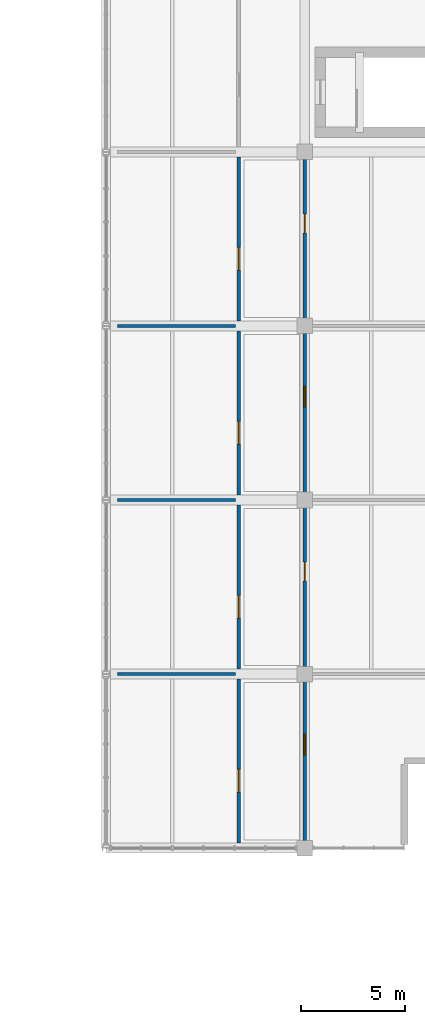
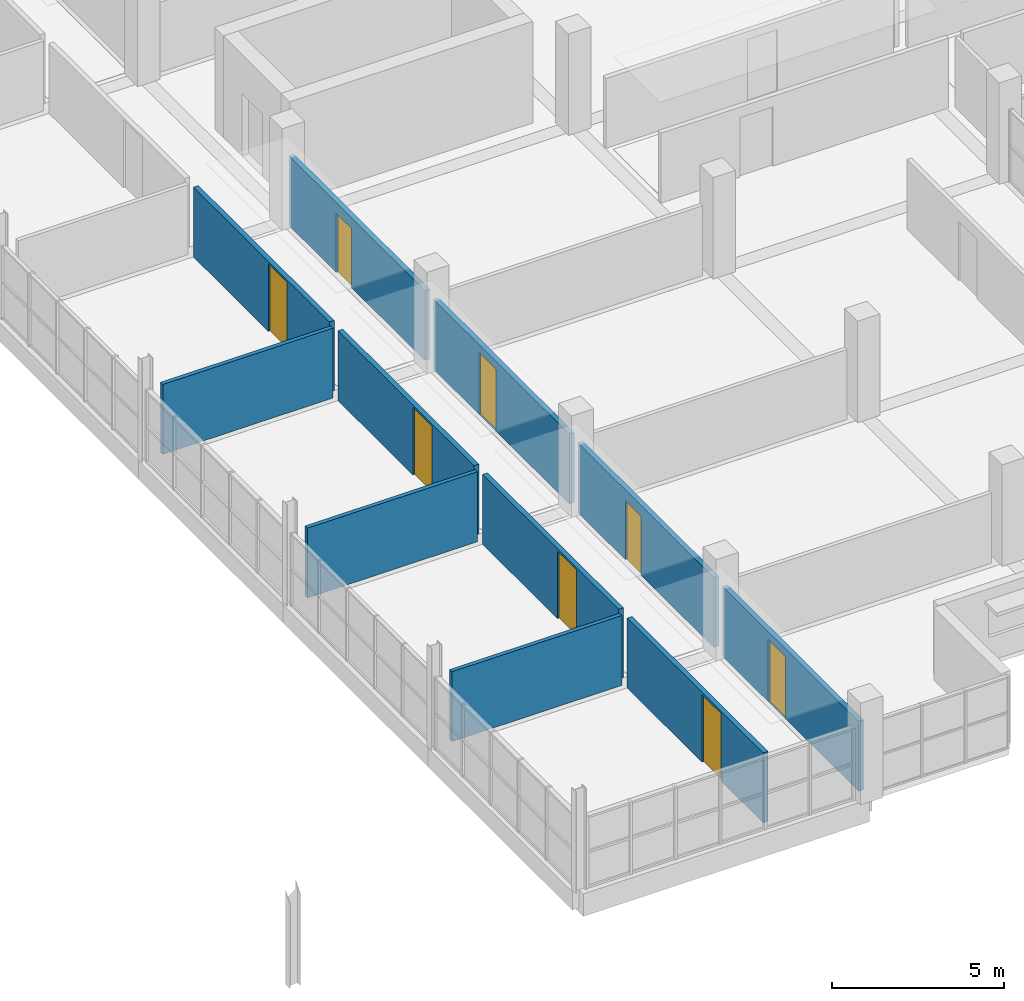
# One storey, part 121 of 147: 11 walls, 8 doors, 8 openings.
"""IFC4 building model written with IfcOpenShell, lengths in metres."""

from ifc_helpers import new_model, si_unit, direction, frame, frame_2d, origin, place, context, subcontext, project, spatial, rectangle, extrude, material, layer, layer_set, type_object, element, fill, save


model = new_model("IFC4")

# Units and contexts
model_context = context("Model", 3, precision=1e-05, world=origin(), true_north=direction((0.0, 1.0)))
body_context = subcontext(model_context, "Body", "Model", "MODEL_VIEW")
ifc_project = project(units=[si_unit("LENGTHUNIT", "METRE"), si_unit("AREAUNIT", "SQUARE_METRE"), si_unit("VOLUMEUNIT", "CUBIC_METRE"), si_unit("PLANEANGLEUNIT", "RADIAN"), si_unit("MASSUNIT", "GRAM", prefix="KILO")], contexts=[model_context])

# Site, building, storey
site_placement = place(None, origin())
site = spatial("IfcSite", under=ifc_project, at=site_placement, CompositionType="ELEMENT")
building_placement = place(site_placement, origin())
building = spatial("IfcBuilding", under=site, at=building_placement, Name="Oolite Switchyard Hospital", CompositionType="ELEMENT")
storey_placement = place(building_placement, frame((0.0, 0.0, 9.89990234375)))
storey = spatial("IfcBuildingStorey", under=building, at=storey_placement, Name="L02", CompositionType="ELEMENT", Elevation=9.89990234375)

# Walls
ifc_material_1 = material(Name="Moisture-resistant gypsum board on steel studs", Category="steel")
ifc_layer_1 = layer(ifc_material_1, 0.135009765625)
ifc_layer_set_1 = layer_set([ifc_layer_1], Name="WAL-PART-135")
wall_type_1 = type_object("IfcWallType", Name="WAL-PART-135", PredefinedType="PARTITIONING", material=ifc_layer_set_1)
for number, where, z_axis, x_axis, name in (
    (1, (115.75, 42.0, 0.0), (0.0, 0.0, 1.0), (1.0, 0.0, 0.0), "L02 Interior Partition 467"),
    (2, (115.75, 50.39990234375, 0.0), (0.0, 0.0, 1.0), (1.0, 0.0, 0.0), "L02 Interior Partition 471"),
    (3, (115.75, 58.800048828125, 0.0), (0.0, 0.0, 1.0), (1.0, 0.0, 0.0), "L02 Interior Partition 475"),
):
    element("IfcWall", number, at=place(storey_placement, frame(where, z_axis=z_axis, x_axis=x_axis)), inside=storey, type_object=wall_type_1, Name=name, PredefinedType="PARTITIONING", context=body_context, shape_type="SweptSolid", body=[
        extrude(rectangle(XDim=5.699951171875, YDim=0.135009765625, at=frame_2d((2.85009765625, 0.0))), origin(), (0.0, 0.0, 1.0), 2.47998046875),
    ])

# Wall, opening, door
ifc_layer_2 = layer(ifc_material_1, 0.1650390625)
ifc_layer_set_2 = layer_set([ifc_layer_2], Name="WAL-PART-165")
wall_type_2 = type_object("IfcWallType", Name="WAL-PART-165", PredefinedType="PARTITIONING", material=ifc_layer_set_2)
wall_1_placement = place(storey_placement, frame((121.60009765625, 33.85009765625, 0.0), z_axis=(0.0, 0.0, 1.0), x_axis=(0.0, 1.0, 0.0)))
wall_1 = element("IfcWall", 4, at=wall_1_placement, inside=storey, type_object=wall_type_2, Name="L02 Interior Partition 464", PredefinedType="PARTITIONING", context=body_context, shape_type="SweptSolid", body=[
    extrude(rectangle(XDim=7.89990234375, YDim=0.1650390625, at=frame_2d((3.949951171875, 0.0))), origin(), (0.0, 0.0, 1.0), 2.47998046875),
])
opening_1_placement = place(wall_1_placement, frame((2.449951171875, 0.0, 0.0)))
opening_1 = element("IfcOpeningElement", 5, at=opening_1_placement, cuts=wall_1, Name="Opening D-0262", PredefinedType="OPENING", context=body_context, shape_type="SweptSolid", body=[
    extrude(rectangle(XDim=1.10009765625, YDim=2.39990234375, at=frame_2d((0.550048828125, 1.199951171875))), frame((0.0, 0.092529296875, 0.0), z_axis=(0.0, -1.0, 0.0), x_axis=(1.0, 0.0, 0.0)), (0.0, 0.0, 1.0), 0.18505859375),
])
ifc_material_2 = material(Name="Hollow metal fire-rated steel door assembly", Category="steel")
door_type_1 = type_object("IfcDoorType", Name="DR-LAB-110X240", OperationType="NOTDEFINED", PredefinedType="DOOR", material=ifc_material_2)
door_1_placement = place(opening_1_placement, origin())
door_1 = element("IfcDoor", 6, at=door_1_placement, inside=storey, type_object=door_type_1, Name="L02 Interior Door D-0262", OperationType="SINGLE_SWING_LEFT", OverallHeight=2.39990234375, OverallWidth=1.10009765625, PredefinedType="DOOR", context=body_context, shape_type="SweptSolid", body=[
    extrude(rectangle(XDim=1.10009765625, YDim=2.39990234375, at=frame_2d((0.550048828125, 1.199951171875))), frame((0.0, 0.02490234375, 0.0), z_axis=(0.0, -1.0, 0.0), x_axis=(1.0, 0.0, 0.0)), (0.0, 0.0, 1.0), 0.050048828125),
])
fill(opening_1, door_1)

wall_2_placement = place(storey_placement, frame((124.800048828125, 33.85009765625, 0.0), z_axis=(0.0, 0.0, 1.0), x_axis=(0.0, 1.0, 0.0)))
wall_2 = element("IfcWall", 7, at=wall_2_placement, inside=storey, type_object=wall_type_2, Name="L02 Interior Partition 465", PredefinedType="PARTITIONING", context=body_context, shape_type="SweptSolid", body=[
    extrude(rectangle(XDim=7.89990234375, YDim=0.1650390625, at=frame_2d((3.949951171875, 0.0))), origin(), (0.0, 0.0, 1.0), 2.47998046875),
])
opening_2_placement = place(wall_2_placement, frame((4.25, 0.0, 0.0)))
opening_2 = element("IfcOpeningElement", 8, at=opening_2_placement, cuts=wall_2, Name="Opening D-0263", PredefinedType="OPENING", context=body_context, shape_type="SweptSolid", body=[
    extrude(rectangle(XDim=1.0, YDim=2.199951171875, at=frame_2d((0.5, 1.10009765625))), frame((0.0, 0.092529296875, 0.0), z_axis=(0.0, -1.0, 0.0), x_axis=(1.0, 0.0, 0.0)), (0.0, 0.0, 1.0), 0.18505859375),
])
ifc_material_3 = material(Name="Solid-core antimicrobial hardwood leaf in steel frame", Category="steel")
door_type_2 = type_object("IfcDoorType", Name="DR-OFF-100X220", OperationType="NOTDEFINED", PredefinedType="DOOR", material=ifc_material_3)
door_2_placement = place(opening_2_placement, origin())
door_2 = element("IfcDoor", 9, at=door_2_placement, inside=storey, type_object=door_type_2, Name="L02 Interior Door D-0263", OperationType="SINGLE_SWING_RIGHT", OverallHeight=2.199951171875, OverallWidth=1.0, PredefinedType="DOOR", context=body_context, shape_type="SweptSolid", body=[
    extrude(rectangle(XDim=1.0, YDim=2.199951171875, at=frame_2d((0.5, 1.10009765625))), frame((0.0, 0.02490234375, 0.0), z_axis=(0.0, -1.0, 0.0), x_axis=(1.0, 0.0, 0.0)), (0.0, 0.0, 1.0), 0.050048828125),
])
fill(opening_2, door_2)

wall_3_placement = place(storey_placement, frame((121.60009765625, 42.25, 0.0), z_axis=(0.0, 0.0, 1.0), x_axis=(0.0, 1.0, 0.0)))
wall_3 = element("IfcWall", 10, at=wall_3_placement, inside=storey, type_object=wall_type_2, Name="L02 Interior Partition 466", PredefinedType="PARTITIONING", context=body_context, shape_type="SweptSolid", body=[
    extrude(rectangle(XDim=7.89990234375, YDim=0.1650390625, at=frame_2d((3.949951171875, 0.0))), origin(), (0.0, 0.0, 1.0), 2.47998046875),
])
opening_3_placement = place(wall_3_placement, frame((2.449951171875, 0.0, 0.0)))
opening_3 = element("IfcOpeningElement", 11, at=opening_3_placement, cuts=wall_3, Name="Opening D-0264", PredefinedType="OPENING", context=body_context, shape_type="SweptSolid", body=[
    extrude(rectangle(XDim=1.10009765625, YDim=2.39990234375, at=frame_2d((0.550048828125, 1.199951171875))), frame((0.0, 0.092529296875, 0.0), z_axis=(0.0, -1.0, 0.0), x_axis=(1.0, 0.0, 0.0)), (0.0, 0.0, 1.0), 0.18505859375),
])
door_3_placement = place(opening_3_placement, origin())
door_3 = element("IfcDoor", 12, at=door_3_placement, inside=storey, type_object=door_type_1, Name="L02 Interior Door D-0264", OperationType="SINGLE_SWING_RIGHT", OverallHeight=2.39990234375, OverallWidth=1.10009765625, PredefinedType="DOOR", context=body_context, shape_type="SweptSolid", body=[
    extrude(rectangle(XDim=1.10009765625, YDim=2.39990234375, at=frame_2d((0.550048828125, 1.199951171875))), frame((0.0, 0.02490234375, 0.0), z_axis=(0.0, -1.0, 0.0), x_axis=(1.0, 0.0, 0.0)), (0.0, 0.0, 1.0), 0.050048828125),
])
fill(opening_3, door_3)

wall_4_placement = place(storey_placement, frame((124.800048828125, 42.25, 0.0), z_axis=(0.0, 0.0, 1.0), x_axis=(0.0, 1.0, 0.0)))
wall_4 = element("IfcWall", 13, at=wall_4_placement, inside=storey, type_object=wall_type_2, Name="L02 Interior Partition 468", PredefinedType="PARTITIONING", context=body_context, shape_type="SweptSolid", body=[
    extrude(rectangle(XDim=7.89990234375, YDim=0.1650390625, at=frame_2d((3.949951171875, 0.0))), origin(), (0.0, 0.0, 1.0), 2.47998046875),
])
opening_4_placement = place(wall_4_placement, frame((4.25, 0.0, 0.0)))
opening_4 = element("IfcOpeningElement", 14, at=opening_4_placement, cuts=wall_4, Name="Opening D-0265", PredefinedType="OPENING", context=body_context, shape_type="SweptSolid", body=[
    extrude(rectangle(XDim=0.89990234375, YDim=2.10009765625, at=frame_2d((0.449951171875, 1.050048828125))), frame((0.0, 0.092529296875, 0.0), z_axis=(0.0, -1.0, 0.0), x_axis=(1.0, 0.0, 0.0)), (0.0, 0.0, 1.0), 0.18505859375),
])
door_type_3 = type_object("IfcDoorType", Name="DR-BATH-090X210", OperationType="NOTDEFINED", PredefinedType="DOOR", material=ifc_material_3)
door_4_placement = place(opening_4_placement, origin())
door_4 = element("IfcDoor", 15, at=door_4_placement, inside=storey, type_object=door_type_3, Name="L02 Interior Door D-0265", OperationType="SINGLE_SWING_LEFT", OverallHeight=2.10009765625, OverallWidth=0.89990234375, PredefinedType="DOOR", context=body_context, shape_type="SweptSolid", body=[
    extrude(rectangle(XDim=0.89990234375, YDim=2.10009765625, at=frame_2d((0.449951171875, 1.050048828125))), frame((0.0, 0.02490234375, 0.0), z_axis=(0.0, -1.0, 0.0), x_axis=(1.0, 0.0, 0.0)), (0.0, 0.0, 1.0), 0.050048828125),
])
fill(opening_4, door_4)

wall_5_placement = place(storey_placement, frame((121.60009765625, 50.64990234375, 0.0), z_axis=(0.0, 0.0, 1.0), x_axis=(0.0, 1.0, 0.0)))
wall_5 = element("IfcWall", 16, at=wall_5_placement, inside=storey, type_object=wall_type_2, Name="L02 Interior Partition 470", PredefinedType="PARTITIONING", context=body_context, shape_type="SweptSolid", body=[
    extrude(rectangle(XDim=7.900146484375, YDim=0.1650390625, at=frame_2d((3.9501953125, 0.0))), origin(), (0.0, 0.0, 1.0), 2.47998046875),
])
opening_5_placement = place(wall_5_placement, frame((2.449951171875, 0.0, 0.0)))
opening_5 = element("IfcOpeningElement", 17, at=opening_5_placement, cuts=wall_5, Name="Opening D-0266", PredefinedType="OPENING", context=body_context, shape_type="SweptSolid", body=[
    extrude(rectangle(XDim=1.10009765625, YDim=2.39990234375, at=frame_2d((0.550048828125, 1.199951171875))), frame((0.0, 0.092529296875, 0.0), z_axis=(0.0, -1.0, 0.0), x_axis=(1.0, 0.0, 0.0)), (0.0, 0.0, 1.0), 0.18505859375),
])
door_5_placement = place(opening_5_placement, origin())
door_5 = element("IfcDoor", 18, at=door_5_placement, inside=storey, type_object=door_type_1, Name="L02 Interior Door D-0266", OperationType="SINGLE_SWING_LEFT", OverallHeight=2.39990234375, OverallWidth=1.10009765625, PredefinedType="DOOR", context=body_context, shape_type="SweptSolid", body=[
    extrude(rectangle(XDim=1.10009765625, YDim=2.39990234375, at=frame_2d((0.550048828125, 1.199951171875))), frame((0.0, 0.02490234375, 0.0), z_axis=(0.0, -1.0, 0.0), x_axis=(1.0, 0.0, 0.0)), (0.0, 0.0, 1.0), 0.050048828125),
])
fill(opening_5, door_5)

wall_6_placement = place(storey_placement, frame((124.800048828125, 50.64990234375, 0.0), z_axis=(0.0, 0.0, 1.0), x_axis=(0.0, 1.0, 0.0)))
wall_6 = element("IfcWall", 19, at=wall_6_placement, inside=storey, type_object=wall_type_2, Name="L02 Interior Partition 472", PredefinedType="PARTITIONING", context=body_context, shape_type="SweptSolid", body=[
    extrude(rectangle(XDim=7.900146484375, YDim=0.1650390625, at=frame_2d((3.9501953125, 0.0))), origin(), (0.0, 0.0, 1.0), 2.47998046875),
])
opening_6_placement = place(wall_6_placement, frame((4.25, 0.0, 0.0)))
opening_6 = element("IfcOpeningElement", 20, at=opening_6_placement, cuts=wall_6, Name="Opening D-0267", PredefinedType="OPENING", context=body_context, shape_type="SweptSolid", body=[
    extrude(rectangle(XDim=1.0, YDim=2.199951171875, at=frame_2d((0.5, 1.10009765625))), frame((0.0, 0.092529296875, 0.0), z_axis=(0.0, -1.0, 0.0), x_axis=(1.0, 0.0, 0.0)), (0.0, 0.0, 1.0), 0.18505859375),
])
door_6_placement = place(opening_6_placement, origin())
door_6 = element("IfcDoor", 21, at=door_6_placement, inside=storey, type_object=door_type_2, Name="L02 Interior Door D-0267", OperationType="SINGLE_SWING_RIGHT", OverallHeight=2.199951171875, OverallWidth=1.0, PredefinedType="DOOR", context=body_context, shape_type="SweptSolid", body=[
    extrude(rectangle(XDim=1.0, YDim=2.199951171875, at=frame_2d((0.5, 1.10009765625))), frame((0.0, 0.02490234375, 0.0), z_axis=(0.0, -1.0, 0.0), x_axis=(1.0, 0.0, 0.0)), (0.0, 0.0, 1.0), 0.050048828125),
])
fill(opening_6, door_6)

wall_7_placement = place(storey_placement, frame((121.60009765625, 59.050048828125, 0.0), z_axis=(0.0, 0.0, 1.0), x_axis=(0.0, 1.0, 0.0)))
wall_7 = element("IfcWall", 22, at=wall_7_placement, inside=storey, type_object=wall_type_2, Name="L02 Interior Partition 474", PredefinedType="PARTITIONING", context=body_context, shape_type="SweptSolid", body=[
    extrude(rectangle(XDim=7.89990234375, YDim=0.1650390625, at=frame_2d((3.949951171875, 0.0))), origin(), (0.0, 0.0, 1.0), 2.47998046875),
])
opening_7_placement = place(wall_7_placement, frame((2.449951171875, 0.0, 0.0)))
opening_7 = element("IfcOpeningElement", 23, at=opening_7_placement, cuts=wall_7, Name="Opening D-0268", PredefinedType="OPENING", context=body_context, shape_type="SweptSolid", body=[
    extrude(rectangle(XDim=1.10009765625, YDim=2.39990234375, at=frame_2d((0.550048828125, 1.199951171875))), frame((0.0, 0.092529296875, 0.0), z_axis=(0.0, -1.0, 0.0), x_axis=(1.0, 0.0, 0.0)), (0.0, 0.0, 1.0), 0.18505859375),
])
door_7_placement = place(opening_7_placement, origin())
door_7 = element("IfcDoor", 24, at=door_7_placement, inside=storey, type_object=door_type_1, Name="L02 Interior Door D-0268", OperationType="SINGLE_SWING_RIGHT", OverallHeight=2.39990234375, OverallWidth=1.10009765625, PredefinedType="DOOR", context=body_context, shape_type="SweptSolid", body=[
    extrude(rectangle(XDim=1.10009765625, YDim=2.39990234375, at=frame_2d((0.550048828125, 1.199951171875))), frame((0.0, 0.02490234375, 0.0), z_axis=(0.0, -1.0, 0.0), x_axis=(1.0, 0.0, 0.0)), (0.0, 0.0, 1.0), 0.050048828125),
])
fill(opening_7, door_7)

wall_8_placement = place(storey_placement, frame((124.800048828125, 59.050048828125, 0.0), z_axis=(0.0, 0.0, 1.0), x_axis=(0.0, 1.0, 0.0)))
wall_8 = element("IfcWall", 25, at=wall_8_placement, inside=storey, type_object=wall_type_2, Name="L02 Interior Partition 476", PredefinedType="PARTITIONING", context=body_context, shape_type="SweptSolid", body=[
    extrude(rectangle(XDim=7.89990234375, YDim=0.1650390625, at=frame_2d((3.949951171875, 0.0))), origin(), (0.0, 0.0, 1.0), 2.47998046875),
])
opening_8_placement = place(wall_8_placement, frame((4.25, 0.0, 0.0)))
opening_8 = element("IfcOpeningElement", 26, at=opening_8_placement, cuts=wall_8, Name="Opening D-0269", PredefinedType="OPENING", context=body_context, shape_type="SweptSolid", body=[
    extrude(rectangle(XDim=0.89990234375, YDim=2.10009765625, at=frame_2d((0.449951171875, 1.050048828125))), frame((0.0, 0.092529296875, 0.0), z_axis=(0.0, -1.0, 0.0), x_axis=(1.0, 0.0, 0.0)), (0.0, 0.0, 1.0), 0.18505859375),
])
door_8_placement = place(opening_8_placement, origin())
door_8 = element("IfcDoor", 27, at=door_8_placement, inside=storey, type_object=door_type_3, Name="L02 Interior Door D-0269", OperationType="SINGLE_SWING_LEFT", OverallHeight=2.10009765625, OverallWidth=0.89990234375, PredefinedType="DOOR", context=body_context, shape_type="SweptSolid", body=[
    extrude(rectangle(XDim=0.89990234375, YDim=2.10009765625, at=frame_2d((0.449951171875, 1.050048828125))), frame((0.0, 0.02490234375, 0.0), z_axis=(0.0, -1.0, 0.0), x_axis=(1.0, 0.0, 0.0)), (0.0, 0.0, 1.0), 0.050048828125),
])
fill(opening_8, door_8)

save(model, "model.ifc")
